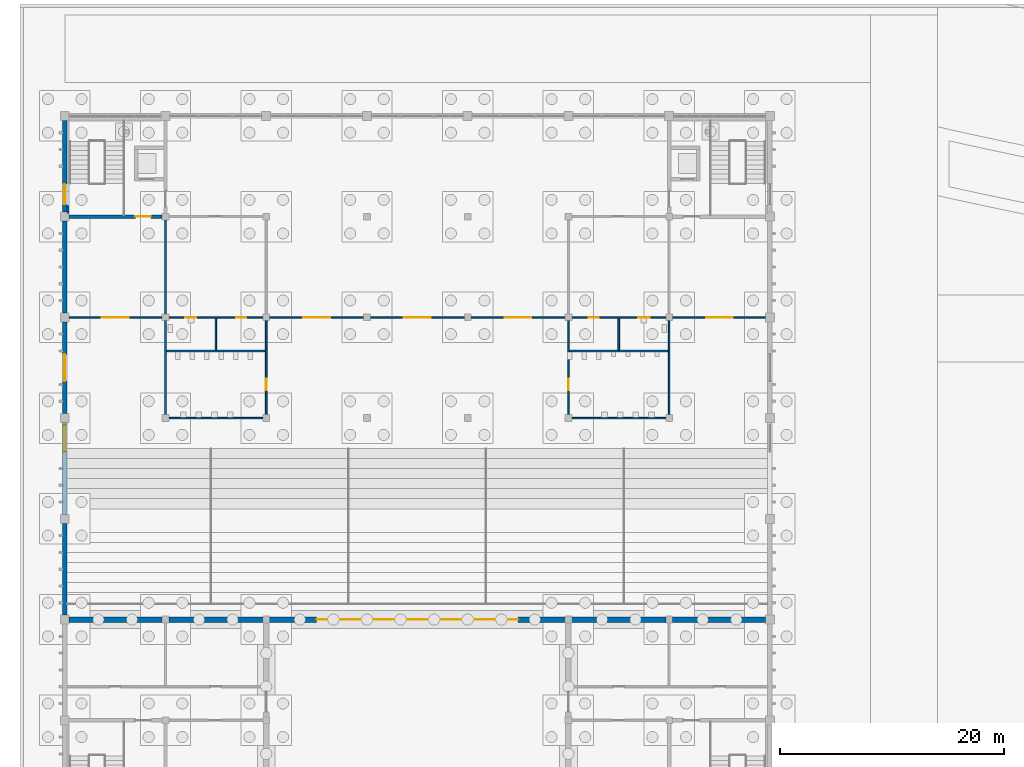
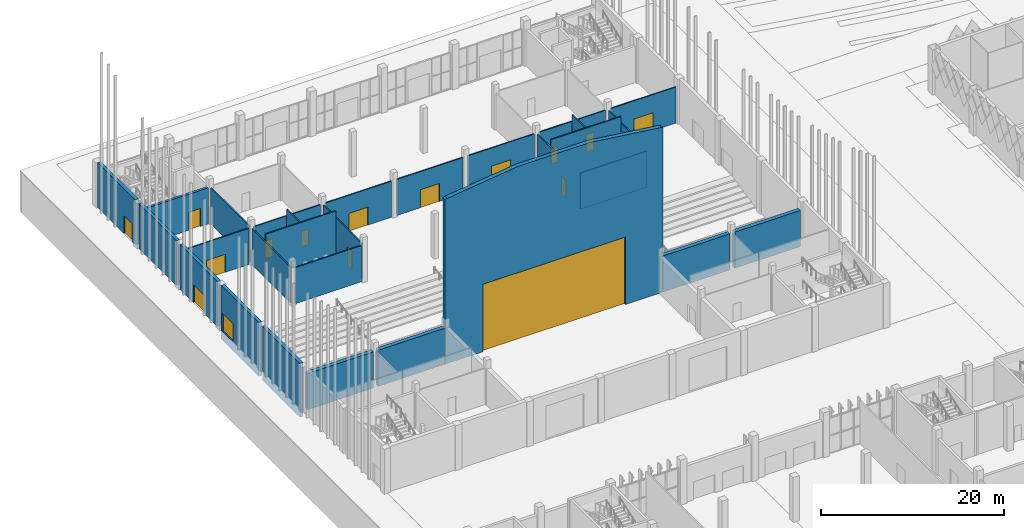
# One storey, part 91 of 198: 30 walls, 16 doors, 16 openings.
"""IFC4 building model written with IfcOpenShell, lengths in metres."""

from ifc_helpers import new_model, si_unit, direction, frame, frame_2d, origin, place, context, subcontext, project, spatial, polyline, rectangle, outline, extrude, material, layer, layer_set, type_object, element, fill, save


model = new_model("IFC4")

# Units and contexts
model_context = context("Model", 3, precision=1e-05, world=origin(), true_north=direction((0.0, 1.0)))
body_context = subcontext(model_context, "Body", "Model", "MODEL_VIEW")
ifc_project = project(units=[si_unit("LENGTHUNIT", "METRE"), si_unit("AREAUNIT", "SQUARE_METRE"), si_unit("VOLUMEUNIT", "CUBIC_METRE"), si_unit("PLANEANGLEUNIT", "RADIAN"), si_unit("MASSUNIT", "GRAM", prefix="KILO")], contexts=[model_context])

# Site, building, storey
site_placement = place(None, origin())
site = spatial("IfcSite", under=ifc_project, at=site_placement, CompositionType="ELEMENT")
building_placement = place(site_placement, origin())
building = spatial("IfcBuilding", under=site, at=building_placement, Name="Opaline Strait Convention Centre", CompositionType="ELEMENT")
storey_placement = place(building_placement, origin())
storey = spatial("IfcBuildingStorey", under=building, at=storey_placement, Name="L00", CompositionType="ELEMENT", Elevation=0.0)

# Wall, opening, door
ifc_material_1 = material(Name="Autoclaved aerated blockwork", Category="masonry")
ifc_layer_1 = layer(ifc_material_1, 0.14990234375)
ifc_layer_set_1 = layer_set([ifc_layer_1], Name="Autoclaved aerated blockwork")
wall_type_1 = type_object("IfcWallType", Name="Blockwork partition 150", PredefinedType="PARTITIONING", material=ifc_layer_set_1)
wall_1_placement = place(storey_placement, frame((9.39990234375, 162.0, 0.0), z_axis=(0.0, 0.0, 1.0), x_axis=(1.0, 0.0, 0.0)))
wall_1 = element("IfcWall", 1, at=wall_1_placement, inside=storey, type_object=wall_type_1, Name="PW11 L00 lobby wall bay 1", PredefinedType="PARTITIONING", context=body_context, shape_type="SweptSolid", body=[
    extrude(rectangle(XDim=8.300048828125, YDim=0.14990234375, at=frame_2d((4.14990234375, 0.0))), origin(), (0.0, 0.0, 1.0), 4.820068359375),
])
opening_1_placement = place(wall_1_placement, frame((2.89990234375, 0.0, 0.0)))
opening_1 = element("IfcOpeningElement", 2, at=opening_1_placement, cuts=wall_1, Name="Opening P0-031", PredefinedType="OPENING", context=body_context, shape_type="SweptSolid", body=[
    extrude(rectangle(XDim=2.39990234375, YDim=2.39990234375, at=frame_2d((1.199951171875, 1.199951171875))), frame((0.0, 0.0849609375, 0.0), z_axis=(0.0, -1.0, 0.0), x_axis=(1.0, 0.0, 0.0)), (0.0, 0.0, 1.0), 0.169921875),
])
ifc_material_2 = material(Name="Steel Q235B", Category="steel")
door_type_1 = type_object("IfcDoorType", Name="Exit double door 2400 x 2400", OperationType="DOUBLE_DOOR_SINGLE_SWING", PredefinedType="DOOR", material=ifc_material_2)
door_1_placement = place(opening_1_placement, origin())
door_1 = element("IfcDoor", 3, at=door_1_placement, inside=storey, type_object=door_type_1, Name="Stalls lobby door", ObjectType="PD2", OperationType="SINGLE_SWING_LEFT", OverallHeight=2.39990234375, OverallWidth=2.39990234375, PredefinedType="DOOR", context=body_context, shape_type="SweptSolid", body=[
    extrude(rectangle(XDim=2.39990234375, YDim=2.39990234375, at=frame_2d((1.199951171875, 1.199951171875))), frame((0.0, 0.02490234375, 0.0), z_axis=(0.0, -1.0, 0.0), x_axis=(1.0, 0.0, 0.0)), (0.0, 0.0, 1.0), 0.050048828125),
])
fill(opening_1, door_1)

# Wall, openings, doors
wall_2_placement = place(storey_placement, frame((18.300048828125, 162.0, 0.0), z_axis=(0.0, 0.0, 1.0), x_axis=(1.0, 0.0, 0.0)))
wall_2 = element("IfcWall", 4, at=wall_2_placement, inside=storey, type_object=wall_type_1, Name="PW11 L00 lobby wall bay 2", PredefinedType="PARTITIONING", context=body_context, shape_type="SweptSolid", body=[
    extrude(rectangle(XDim=8.39990234375, YDim=0.14990234375, at=frame_2d((4.199951171875, 0.0))), origin(), (0.0, 0.0, 1.0), 4.820068359375),
])
opening_2_placement = place(wall_2_placement, frame((1.449951171875, 0.0, 0.0)))
opening_2 = element("IfcOpeningElement", 5, at=opening_2_placement, cuts=wall_2, Name="Opening P0-036", PredefinedType="OPENING", context=body_context, shape_type="SweptSolid", body=[
    extrude(rectangle(XDim=1.0, YDim=2.39990234375, at=frame_2d((0.5, 1.199951171875))), frame((0.0, 0.0849609375, 0.0), z_axis=(0.0, -1.0, 0.0), x_axis=(1.0, 0.0, 0.0)), (0.0, 0.0, 1.0), 0.169921875),
])
opening_3_placement = place(wall_2_placement, frame((6.0, 0.0, 0.0)))
opening_3 = element("IfcOpeningElement", 6, at=opening_3_placement, cuts=wall_2, Name="Opening P0-037", PredefinedType="OPENING", context=body_context, shape_type="SweptSolid", body=[
    extrude(rectangle(XDim=0.89990234375, YDim=2.10009765625, at=frame_2d((0.449951171875, 1.050048828125))), frame((0.0, 0.0849609375, 0.0), z_axis=(0.0, -1.0, 0.0), x_axis=(1.0, 0.0, 0.0)), (0.0, 0.0, 1.0), 0.169921875),
])
ifc_material_3 = material(Name="Timber door leaf", Category="wood")
door_type_2 = type_object("IfcDoorType", Name="Door single 1000 x 2400", OperationType="NOTDEFINED", PredefinedType="DOOR", material=ifc_material_3)
door_2_placement = place(opening_2_placement, origin())
door_2 = element("IfcDoor", 7, at=door_2_placement, inside=storey, type_object=door_type_2, Name="Accessible WC door", ObjectType="PD6", OperationType="SINGLE_SWING_LEFT", OverallHeight=2.39990234375, OverallWidth=1.0, PredefinedType="DOOR", context=body_context, shape_type="SweptSolid", body=[
    extrude(rectangle(XDim=1.0, YDim=2.39990234375, at=frame_2d((0.5, 1.199951171875))), frame((0.0, 0.02490234375, 0.0), z_axis=(0.0, -1.0, 0.0), x_axis=(1.0, 0.0, 0.0)), (0.0, 0.0, 1.0), 0.050048828125),
])
fill(opening_2, door_2)
door_type_3 = type_object("IfcDoorType", Name="Door single 900 x 2100", OperationType="NOTDEFINED", PredefinedType="DOOR", material=ifc_material_3)
door_3_placement = place(opening_3_placement, origin())
door_3 = element("IfcDoor", 8, at=door_3_placement, inside=storey, type_object=door_type_3, Name="Cleaners store door", ObjectType="PD12", OperationType="SINGLE_SWING_RIGHT", OverallHeight=2.10009765625, OverallWidth=0.89990234375, PredefinedType="DOOR", context=body_context, shape_type="SweptSolid", body=[
    extrude(rectangle(XDim=0.89990234375, YDim=2.10009765625, at=frame_2d((0.449951171875, 1.050048828125))), frame((0.0, 0.02490234375, 0.0), z_axis=(0.0, -1.0, 0.0), x_axis=(1.0, 0.0, 0.0)), (0.0, 0.0, 1.0), 0.050048828125),
])
fill(opening_3, door_3)

# Wall, opening, door
wall_3_placement = place(storey_placement, frame((27.300048828125, 162.0, 0.0), z_axis=(0.0, 0.0, 1.0), x_axis=(1.0, 0.0, 0.0)))
wall_3 = element("IfcWall", 9, at=wall_3_placement, inside=storey, type_object=wall_type_1, Name="PW11 L00 lobby wall bay 3", PredefinedType="PARTITIONING", context=body_context, shape_type="SweptSolid", body=[
    extrude(rectangle(XDim=8.39990234375, YDim=0.14990234375, at=frame_2d((4.199951171875, 0.0))), origin(), (0.0, 0.0, 1.0), 4.820068359375),
])
opening_4_placement = place(wall_3_placement, frame((3.0, 0.0, 0.0)))
opening_4 = element("IfcOpeningElement", 10, at=opening_4_placement, cuts=wall_3, Name="Opening P0-032", PredefinedType="OPENING", context=body_context, shape_type="SweptSolid", body=[
    extrude(rectangle(XDim=2.39990234375, YDim=2.39990234375, at=frame_2d((1.199951171875, 1.199951171875))), frame((0.0, 0.0849609375, 0.0), z_axis=(0.0, -1.0, 0.0), x_axis=(1.0, 0.0, 0.0)), (0.0, 0.0, 1.0), 0.169921875),
])
door_4_placement = place(opening_4_placement, origin())
door_4 = element("IfcDoor", 11, at=door_4_placement, inside=storey, type_object=door_type_1, Name="Stalls lobby door", ObjectType="PD2", OperationType="SINGLE_SWING_LEFT", OverallHeight=2.39990234375, OverallWidth=2.39990234375, PredefinedType="DOOR", context=body_context, shape_type="SweptSolid", body=[
    extrude(rectangle(XDim=2.39990234375, YDim=2.39990234375, at=frame_2d((1.199951171875, 1.199951171875))), frame((0.0, 0.02490234375, 0.0), z_axis=(0.0, -1.0, 0.0), x_axis=(1.0, 0.0, 0.0)), (0.0, 0.0, 1.0), 0.050048828125),
])
fill(opening_4, door_4)

wall_4_placement = place(storey_placement, frame((36.300048828125, 162.0, 0.0), z_axis=(0.0, 0.0, 1.0), x_axis=(1.0, 0.0, 0.0)))
wall_4 = element("IfcWall", 12, at=wall_4_placement, inside=storey, type_object=wall_type_1, Name="PW11 L00 lobby wall bay 4", PredefinedType="PARTITIONING", context=body_context, shape_type="SweptSolid", body=[
    extrude(rectangle(XDim=8.39990234375, YDim=0.14990234375, at=frame_2d((4.199951171875, 0.0))), origin(), (0.0, 0.0, 1.0), 4.820068359375),
])
opening_5_placement = place(wall_4_placement, frame((3.0, 0.0, 0.0)))
opening_5 = element("IfcOpeningElement", 13, at=opening_5_placement, cuts=wall_4, Name="Opening P0-033", PredefinedType="OPENING", context=body_context, shape_type="SweptSolid", body=[
    extrude(rectangle(XDim=2.39990234375, YDim=2.39990234375, at=frame_2d((1.199951171875, 1.199951171875))), frame((0.0, 0.0849609375, 0.0), z_axis=(0.0, -1.0, 0.0), x_axis=(1.0, 0.0, 0.0)), (0.0, 0.0, 1.0), 0.169921875),
])
door_5_placement = place(opening_5_placement, origin())
door_5 = element("IfcDoor", 14, at=door_5_placement, inside=storey, type_object=door_type_1, Name="Stalls lobby door", ObjectType="PD2", OperationType="SINGLE_SWING_LEFT", OverallHeight=2.39990234375, OverallWidth=2.39990234375, PredefinedType="DOOR", context=body_context, shape_type="SweptSolid", body=[
    extrude(rectangle(XDim=2.39990234375, YDim=2.39990234375, at=frame_2d((1.199951171875, 1.199951171875))), frame((0.0, 0.02490234375, 0.0), z_axis=(0.0, -1.0, 0.0), x_axis=(1.0, 0.0, 0.0)), (0.0, 0.0, 1.0), 0.050048828125),
])
fill(opening_5, door_5)

wall_5_placement = place(storey_placement, frame((45.300048828125, 162.0, 0.0), z_axis=(0.0, 0.0, 1.0), x_axis=(1.0, 0.0, 0.0)))
wall_5 = element("IfcWall", 15, at=wall_5_placement, inside=storey, type_object=wall_type_1, Name="PW11 L00 lobby wall bay 5", PredefinedType="PARTITIONING", context=body_context, shape_type="SweptSolid", body=[
    extrude(rectangle(XDim=8.39990234375, YDim=0.14990234375, at=frame_2d((4.199951171875, 0.0))), origin(), (0.0, 0.0, 1.0), 4.820068359375),
])
opening_6_placement = place(wall_5_placement, frame((3.0, 0.0, 0.0)))
opening_6 = element("IfcOpeningElement", 16, at=opening_6_placement, cuts=wall_5, Name="Opening P0-034", PredefinedType="OPENING", context=body_context, shape_type="SweptSolid", body=[
    extrude(rectangle(XDim=2.39990234375, YDim=2.39990234375, at=frame_2d((1.199951171875, 1.199951171875))), frame((0.0, 0.0849609375, 0.0), z_axis=(0.0, -1.0, 0.0), x_axis=(1.0, 0.0, 0.0)), (0.0, 0.0, 1.0), 0.169921875),
])
door_6_placement = place(opening_6_placement, origin())
door_6 = element("IfcDoor", 17, at=door_6_placement, inside=storey, type_object=door_type_1, Name="Stalls lobby door", ObjectType="PD2", OperationType="SINGLE_SWING_LEFT", OverallHeight=2.39990234375, OverallWidth=2.39990234375, PredefinedType="DOOR", context=body_context, shape_type="SweptSolid", body=[
    extrude(rectangle(XDim=2.39990234375, YDim=2.39990234375, at=frame_2d((1.199951171875, 1.199951171875))), frame((0.0, 0.02490234375, 0.0), z_axis=(0.0, -1.0, 0.0), x_axis=(1.0, 0.0, 0.0)), (0.0, 0.0, 1.0), 0.050048828125),
])
fill(opening_6, door_6)

# Wall, openings, doors
wall_6_placement = place(storey_placement, frame((54.300048828125, 162.0, 0.0), z_axis=(0.0, 0.0, 1.0), x_axis=(1.0, 0.0, 0.0)))
wall_6 = element("IfcWall", 18, at=wall_6_placement, inside=storey, type_object=wall_type_1, Name="PW11 L00 lobby wall bay 6", PredefinedType="PARTITIONING", context=body_context, shape_type="SweptSolid", body=[
    extrude(rectangle(XDim=8.39990234375, YDim=0.14990234375, at=frame_2d((4.199951171875, 0.0))), origin(), (0.0, 0.0, 1.0), 4.820068359375),
])
opening_7_placement = place(wall_6_placement, frame((5.949951171875, 0.0, 0.0)))
opening_7 = element("IfcOpeningElement", 19, at=opening_7_placement, cuts=wall_6, Name="Opening P0-038", PredefinedType="OPENING", context=body_context, shape_type="SweptSolid", body=[
    extrude(rectangle(XDim=1.0, YDim=2.39990234375, at=frame_2d((0.5, 1.199951171875))), frame((0.0, 0.0849609375, 0.0), z_axis=(0.0, -1.0, 0.0), x_axis=(1.0, 0.0, 0.0)), (0.0, 0.0, 1.0), 0.169921875),
])
opening_8_placement = place(wall_6_placement, frame((1.5, 0.0, 0.0)))
opening_8 = element("IfcOpeningElement", 20, at=opening_8_placement, cuts=wall_6, Name="Opening P0-039", PredefinedType="OPENING", context=body_context, shape_type="SweptSolid", body=[
    extrude(rectangle(XDim=0.89990234375, YDim=2.10009765625, at=frame_2d((0.449951171875, 1.050048828125))), frame((0.0, 0.0849609375, 0.0), z_axis=(0.0, -1.0, 0.0), x_axis=(1.0, 0.0, 0.0)), (0.0, 0.0, 1.0), 0.169921875),
])
door_7_placement = place(opening_7_placement, origin())
door_7 = element("IfcDoor", 21, at=door_7_placement, inside=storey, type_object=door_type_2, Name="Accessible WC door", ObjectType="PD6", OperationType="SINGLE_SWING_RIGHT", OverallHeight=2.39990234375, OverallWidth=1.0, PredefinedType="DOOR", context=body_context, shape_type="SweptSolid", body=[
    extrude(rectangle(XDim=1.0, YDim=2.39990234375, at=frame_2d((0.5, 1.199951171875))), frame((0.0, 0.02490234375, 0.0), z_axis=(0.0, -1.0, 0.0), x_axis=(1.0, 0.0, 0.0)), (0.0, 0.0, 1.0), 0.050048828125),
])
fill(opening_7, door_7)
door_8_placement = place(opening_8_placement, origin())
door_8 = element("IfcDoor", 22, at=door_8_placement, inside=storey, type_object=door_type_3, Name="Cleaners store door", ObjectType="PD12", OperationType="SINGLE_SWING_LEFT", OverallHeight=2.10009765625, OverallWidth=0.89990234375, PredefinedType="DOOR", context=body_context, shape_type="SweptSolid", body=[
    extrude(rectangle(XDim=0.89990234375, YDim=2.10009765625, at=frame_2d((0.449951171875, 1.050048828125))), frame((0.0, 0.02490234375, 0.0), z_axis=(0.0, -1.0, 0.0), x_axis=(1.0, 0.0, 0.0)), (0.0, 0.0, 1.0), 0.050048828125),
])
fill(opening_8, door_8)

# Wall, opening, door
wall_7_placement = place(storey_placement, frame((63.300048828125, 162.0, 0.0), z_axis=(0.0, 0.0, 1.0), x_axis=(1.0, 0.0, 0.0)))
wall_7 = element("IfcWall", 23, at=wall_7_placement, inside=storey, type_object=wall_type_1, Name="PW11 L00 lobby wall bay 7", PredefinedType="PARTITIONING", context=body_context, shape_type="SweptSolid", body=[
    extrude(rectangle(XDim=8.300048828125, YDim=0.14990234375, at=frame_2d((4.14990234375, 0.0))), origin(), (0.0, 0.0, 1.0), 4.820068359375),
])
opening_9_placement = place(wall_7_placement, frame((3.0, 0.0, 0.0)))
opening_9 = element("IfcOpeningElement", 24, at=opening_9_placement, cuts=wall_7, Name="Opening P0-035", PredefinedType="OPENING", context=body_context, shape_type="SweptSolid", body=[
    extrude(rectangle(XDim=2.39990234375, YDim=2.39990234375, at=frame_2d((1.199951171875, 1.199951171875))), frame((0.0, 0.0849609375, 0.0), z_axis=(0.0, -1.0, 0.0), x_axis=(1.0, 0.0, 0.0)), (0.0, 0.0, 1.0), 0.169921875),
])
door_9_placement = place(opening_9_placement, origin())
door_9 = element("IfcDoor", 25, at=door_9_placement, inside=storey, type_object=door_type_1, Name="Stalls lobby door", ObjectType="PD2", OperationType="SINGLE_SWING_LEFT", OverallHeight=2.39990234375, OverallWidth=2.39990234375, PredefinedType="DOOR", context=body_context, shape_type="SweptSolid", body=[
    extrude(rectangle(XDim=2.39990234375, YDim=2.39990234375, at=frame_2d((1.199951171875, 1.199951171875))), frame((0.0, 0.02490234375, 0.0), z_axis=(0.0, -1.0, 0.0), x_axis=(1.0, 0.0, 0.0)), (0.0, 0.0, 1.0), 0.050048828125),
])
fill(opening_9, door_9)

# Wall
wall_8_placement = place(storey_placement, frame((18.0, 153.300048828125, 0.0), z_axis=(0.0, 0.0, 1.0), x_axis=(0.0, 1.0, 0.0)))
element("IfcWall", 26, at=wall_8_placement, inside=storey, type_object=wall_type_1, Name="PW11 L00 partition WX18T", PredefinedType="PARTITIONING", context=body_context, shape_type="SweptSolid", body=[
    extrude(rectangle(XDim=8.39990234375, YDim=0.14990234375, at=frame_2d((4.199951171875, 0.0))), origin(), (0.0, 0.0, 1.0), 4.820068359375),
])

# Wall, opening, door
wall_9_placement = place(storey_placement, frame((27.0, 153.300048828125, 0.0), z_axis=(0.0, 0.0, 1.0), x_axis=(0.0, 1.0, 0.0)))
wall_9 = element("IfcWall", 27, at=wall_9_placement, inside=storey, type_object=wall_type_1, Name="PW11 L00 partition WX27T", PredefinedType="PARTITIONING", context=body_context, shape_type="SweptSolid", body=[
    extrude(rectangle(XDim=8.39990234375, YDim=0.14990234375, at=frame_2d((4.199951171875, 0.0))), origin(), (0.0, 0.0, 1.0), 4.820068359375),
])
opening_10_placement = place(wall_9_placement, frame((2.199951171875, 0.0, 0.0)))
opening_10 = element("IfcOpeningElement", 28, at=opening_10_placement, cuts=wall_9, Name="Opening P0-040", PredefinedType="OPENING", context=body_context, shape_type="SweptSolid", body=[
    extrude(rectangle(XDim=1.0, YDim=2.39990234375, at=frame_2d((0.5, 1.199951171875))), frame((0.0, 0.0849609375, 0.0), z_axis=(0.0, -1.0, 0.0), x_axis=(1.0, 0.0, 0.0)), (0.0, 0.0, 1.0), 0.169921875),
])
door_10_placement = place(opening_10_placement, origin())
door_10 = element("IfcDoor", 29, at=door_10_placement, inside=storey, type_object=door_type_2, Name="Women's WC door", ObjectType="PD6", OperationType="SINGLE_SWING_LEFT", OverallHeight=2.39990234375, OverallWidth=1.0, PredefinedType="DOOR", context=body_context, shape_type="SweptSolid", body=[
    extrude(rectangle(XDim=1.0, YDim=2.39990234375, at=frame_2d((0.5, 1.199951171875))), frame((0.0, 0.02490234375, 0.0), z_axis=(0.0, -1.0, 0.0), x_axis=(1.0, 0.0, 0.0)), (0.0, 0.0, 1.0), 0.050048828125),
])
fill(opening_10, door_10)

# Walls
wall_10_placement = place(storey_placement, frame((18.300048828125, 153.0, 0.0), z_axis=(0.0, 0.0, 1.0), x_axis=(1.0, 0.0, 0.0)))
element("IfcWall", 30, at=wall_10_placement, inside=storey, type_object=wall_type_1, Name="PW11 L00 partition WY153T", PredefinedType="PARTITIONING", context=body_context, shape_type="SweptSolid", body=[
    extrude(rectangle(XDim=8.39990234375, YDim=0.14990234375, at=frame_2d((4.199951171875, 0.0))), origin(), (0.0, 0.0, 1.0), 4.820068359375),
])
wall_11_placement = place(storey_placement, frame((18.074951171875, 159.0, 0.0), z_axis=(0.0, 0.0, 1.0), x_axis=(1.0, 0.0, 0.0)))
element("IfcWall", 31, at=wall_11_placement, inside=storey, type_object=wall_type_1, Name="PW11 L00 partition WY159T", PredefinedType="PARTITIONING", context=body_context, shape_type="SweptSolid", body=[
    extrude(rectangle(XDim=8.85009765625, YDim=0.14990234375, at=frame_2d((4.425048828125, 0.0))), origin(), (0.0, 0.0, 1.0), 5.719970703125),
])
wall_12_placement = place(storey_placement, frame((22.5, 159.074951171875, 0.0), z_axis=(0.0, 0.0, 1.0), x_axis=(0.0, 1.0, 0.0)))
element("IfcWall", 32, at=wall_12_placement, inside=storey, type_object=wall_type_1, Name="PW11 L00 partition WX225T", PredefinedType="PARTITIONING", context=body_context, shape_type="SweptSolid", body=[
    extrude(rectangle(XDim=2.85009765625, YDim=0.14990234375, at=frame_2d((1.425048828125, 0.0))), origin(), (0.0, 0.0, 1.0), 5.719970703125),
])
for number, where, z_axis, x_axis, name in (
    (33, (18.0, 162.300048828125, 0.0), (0.0, 0.0, 1.0), (0.0, 1.0, 0.0), "PW11 L00 partition WX18C"),
    (34, (63.0, 153.300048828125, 0.0), (0.0, 0.0, 1.0), (0.0, 1.0, 0.0), "PW11 L00 partition EX18T"),
):
    element("IfcWall", number, at=place(storey_placement, frame(where, z_axis=z_axis, x_axis=x_axis)), inside=storey, type_object=wall_type_1, Name=name, PredefinedType="PARTITIONING", context=body_context, shape_type="SweptSolid", body=[
        extrude(rectangle(XDim=8.39990234375, YDim=0.14990234375, at=frame_2d((4.199951171875, 0.0))), origin(), (0.0, 0.0, 1.0), 4.820068359375),
    ])

# Wall, opening, door
wall_13_placement = place(storey_placement, frame((54.0, 153.300048828125, 0.0), z_axis=(0.0, 0.0, 1.0), x_axis=(0.0, 1.0, 0.0)))
wall_13 = element("IfcWall", 35, at=wall_13_placement, inside=storey, type_object=wall_type_1, Name="PW11 L00 partition EX27T", PredefinedType="PARTITIONING", context=body_context, shape_type="SweptSolid", body=[
    extrude(rectangle(XDim=8.39990234375, YDim=0.14990234375, at=frame_2d((4.199951171875, 0.0))), origin(), (0.0, 0.0, 1.0), 4.820068359375),
])
opening_11_placement = place(wall_13_placement, frame((2.199951171875, 0.0, 0.0)))
opening_11 = element("IfcOpeningElement", 36, at=opening_11_placement, cuts=wall_13, Name="Opening P0-042", PredefinedType="OPENING", context=body_context, shape_type="SweptSolid", body=[
    extrude(rectangle(XDim=1.0, YDim=2.39990234375, at=frame_2d((0.5, 1.199951171875))), frame((0.0, 0.0849609375, 0.0), z_axis=(0.0, -1.0, 0.0), x_axis=(1.0, 0.0, 0.0)), (0.0, 0.0, 1.0), 0.169921875),
])
door_11_placement = place(opening_11_placement, origin())
door_11 = element("IfcDoor", 37, at=door_11_placement, inside=storey, type_object=door_type_2, Name="Men's WC door", ObjectType="PD6", OperationType="SINGLE_SWING_LEFT", OverallHeight=2.39990234375, OverallWidth=1.0, PredefinedType="DOOR", context=body_context, shape_type="SweptSolid", body=[
    extrude(rectangle(XDim=1.0, YDim=2.39990234375, at=frame_2d((0.5, 1.199951171875))), frame((0.0, 0.02490234375, 0.0), z_axis=(0.0, -1.0, 0.0), x_axis=(1.0, 0.0, 0.0)), (0.0, 0.0, 1.0), 0.050048828125),
])
fill(opening_11, door_11)

# Walls
wall_14_placement = place(storey_placement, frame((62.699951171875, 153.0, 0.0), z_axis=(0.0, 0.0, 1.0), x_axis=(-1.0, 0.0, 0.0)))
element("IfcWall", 38, at=wall_14_placement, inside=storey, type_object=wall_type_1, Name="PW11 L00 partition EY153T", PredefinedType="PARTITIONING", context=body_context, shape_type="SweptSolid", body=[
    extrude(rectangle(XDim=8.39990234375, YDim=0.14990234375, at=frame_2d((4.199951171875, 0.0))), origin(), (0.0, 0.0, 1.0), 4.820068359375),
])
wall_15_placement = place(storey_placement, frame((62.925048828125, 159.0, 0.0), z_axis=(0.0, 0.0, 1.0), x_axis=(-1.0, 0.0, 0.0)))
element("IfcWall", 39, at=wall_15_placement, inside=storey, type_object=wall_type_1, Name="PW11 L00 partition EY159T", PredefinedType="PARTITIONING", context=body_context, shape_type="SweptSolid", body=[
    extrude(rectangle(XDim=8.85009765625, YDim=0.14990234375, at=frame_2d((4.425048828125, 0.0))), origin(), (0.0, 0.0, 1.0), 5.719970703125),
])
wall_16_placement = place(storey_placement, frame((58.5, 159.074951171875, 0.0), z_axis=(0.0, 0.0, 1.0), x_axis=(0.0, 1.0, 0.0)))
element("IfcWall", 40, at=wall_16_placement, inside=storey, type_object=wall_type_1, Name="PW11 L00 partition EX225T", PredefinedType="PARTITIONING", context=body_context, shape_type="SweptSolid", body=[
    extrude(rectangle(XDim=2.85009765625, YDim=0.14990234375, at=frame_2d((1.425048828125, 0.0))), origin(), (0.0, 0.0, 1.0), 5.719970703125),
])
ifc_material_4 = material(Name="Concrete C40", Category="concrete")
ifc_layer_2 = layer(ifc_material_4, 0.320068359375)
ifc_material_5 = material(Name="Mineral wool insulation")
ifc_layer_3 = layer(ifc_material_5, 0.050048828125)
ifc_material_6 = material(Name="Gypsum board lining")
ifc_layer_4 = layer(ifc_material_6, 0.030029296875)
ifc_layer_set_2 = layer_set([ifc_layer_2, ifc_layer_3, ifc_layer_4], Name="Concrete C40, Mineral wool insulation, Gypsum board lining")
wall_type_2 = type_object("IfcWallType", Name="RC external wall 400 C40", PredefinedType="SOLIDWALL", material=ifc_layer_set_2)
wall_17_placement = place(storey_placement, frame((9.0, 135.39990234375, -1.199951171875), z_axis=(0.0, 0.0, 1.0), x_axis=(0.0, 1.0, 0.0)))
element("IfcWall", 41, at=wall_17_placement, inside=storey, type_object=wall_type_2, Name="PW1 west wall L00 2/R-2/S", PredefinedType="SOLIDWALL", context=body_context, shape_type="SweptSolid", body=[
    extrude(rectangle(XDim=8.2001953125, YDim=0.39990234375, at=frame_2d((4.10009765625, 0.0))), origin(), (0.0, 0.0, 1.0), 7.199951171875),
])

# Wall, opening, door
wall_18_placement = place(storey_placement, frame((9.0, 144.39990234375, -1.199951171875), z_axis=(0.0, 0.0, 1.0), x_axis=(0.0, 1.0, 0.0)))
wall_18 = element("IfcWall", 42, at=wall_18_placement, inside=storey, type_object=wall_type_2, Name="PW1 west wall L00 2/S-2/T", PredefinedType="SOLIDWALL", context=body_context, shape_type="SweptSolid", body=[
    extrude(rectangle(XDim=8.2001953125, YDim=0.39990234375, at=frame_2d((4.10009765625, 0.0))), origin(), (0.0, 0.0, 1.0), 7.199951171875),
])
opening_12_placement = place(wall_18_placement, frame((5.60009765625, 0.0, 1.199951171875)))
opening_12 = element("IfcOpeningElement", 43, at=opening_12_placement, cuts=wall_18, Name="Opening P0-004", PredefinedType="OPENING", context=body_context, shape_type="SweptSolid", body=[
    extrude(rectangle(XDim=2.39990234375, YDim=2.39990234375, at=frame_2d((1.199951171875, 1.199951171875))), frame((0.0, 0.2099609375, 0.0), z_axis=(0.0, -1.0, 0.0), x_axis=(1.0, 0.0, 0.0)), (0.0, 0.0, 1.0), 0.419921875),
])
door_12_placement = place(opening_12_placement, origin())
door_12 = element("IfcDoor", 44, at=door_12_placement, inside=storey, type_object=door_type_1, Name="Stalls exit west", ObjectType="PD2", OperationType="DOUBLE_DOOR_SINGLE_SWING", OverallHeight=2.39990234375, OverallWidth=2.39990234375, PredefinedType="DOOR", context=body_context, shape_type="SweptSolid", body=[
    extrude(rectangle(XDim=2.39990234375, YDim=2.39990234375, at=frame_2d((1.199951171875, 1.199951171875))), frame((0.0, 0.02490234375, 0.0), z_axis=(0.0, -1.0, 0.0), x_axis=(1.0, 0.0, 0.0)), (0.0, 0.0, 1.0), 0.050048828125),
])
fill(opening_12, door_12)

wall_19_placement = place(storey_placement, frame((9.0, 153.39990234375, 0.0), z_axis=(0.0, 0.0, 1.0), x_axis=(0.0, 1.0, 0.0)))
wall_19 = element("IfcWall", 45, at=wall_19_placement, inside=storey, type_object=wall_type_2, Name="PW1 west wall L00 2/T-2/U", PredefinedType="SOLIDWALL", context=body_context, shape_type="SweptSolid", body=[
    extrude(rectangle(XDim=8.2001953125, YDim=0.39990234375, at=frame_2d((4.10009765625, 0.0))), origin(), (0.0, 0.0, 1.0), 6.0),
])
opening_13_placement = place(wall_19_placement, frame((2.89990234375, 0.0, 0.0)))
opening_13 = element("IfcOpeningElement", 46, at=opening_13_placement, cuts=wall_19, Name="Opening P0-005", PredefinedType="OPENING", context=body_context, shape_type="SweptSolid", body=[
    extrude(rectangle(XDim=2.39990234375, YDim=2.39990234375, at=frame_2d((1.199951171875, 1.199951171875))), frame((0.0, 0.2099609375, 0.0), z_axis=(0.0, -1.0, 0.0), x_axis=(1.0, 0.0, 0.0)), (0.0, 0.0, 1.0), 0.419921875),
])
door_13_placement = place(opening_13_placement, origin())
door_13 = element("IfcDoor", 47, at=door_13_placement, inside=storey, type_object=door_type_1, Name="Stalls lobby exit west", ObjectType="PD2", OperationType="DOUBLE_DOOR_SINGLE_SWING", OverallHeight=2.39990234375, OverallWidth=2.39990234375, PredefinedType="DOOR", context=body_context, shape_type="SweptSolid", body=[
    extrude(rectangle(XDim=2.39990234375, YDim=2.39990234375, at=frame_2d((1.199951171875, 1.199951171875))), frame((0.0, 0.02490234375, 0.0), z_axis=(0.0, -1.0, 0.0), x_axis=(1.0, 0.0, 0.0)), (0.0, 0.0, 1.0), 0.050048828125),
])
fill(opening_13, door_13)

# Wall
wall_20_placement = place(storey_placement, frame((9.0, 162.39990234375, 0.0), z_axis=(0.0, 0.0, 1.0), x_axis=(0.0, 1.0, 0.0)))
element("IfcWall", 48, at=wall_20_placement, inside=storey, type_object=wall_type_2, Name="PW1 west wall L00 2/U-2/V", PredefinedType="SOLIDWALL", context=body_context, shape_type="SweptSolid", body=[
    extrude(rectangle(XDim=8.2001953125, YDim=0.39990234375, at=frame_2d((4.10009765625, 0.0))), origin(), (0.0, 0.0, 1.0), 6.0),
])

# Wall, opening, door
wall_21_placement = place(storey_placement, frame((9.0, 171.39990234375, 0.0), z_axis=(0.0, 0.0, 1.0), x_axis=(0.0, 1.0, 0.0)))
wall_21 = element("IfcWall", 49, at=wall_21_placement, inside=storey, type_object=wall_type_2, Name="PW1 west wall L00 2/V-2/W", PredefinedType="SOLIDWALL", context=body_context, shape_type="SweptSolid", body=[
    extrude(rectangle(XDim=8.2001953125, YDim=0.39990234375, at=frame_2d((4.10009765625, 0.0))), origin(), (0.0, 0.0, 1.0), 6.0),
])
opening_14_placement = place(wall_21_placement, frame((0.699951171875, 0.0, 0.0)))
opening_14 = element("IfcOpeningElement", 50, at=opening_14_placement, cuts=wall_21, Name="Opening P0-007", PredefinedType="OPENING", context=body_context, shape_type="SweptSolid", body=[
    extrude(rectangle(XDim=1.800048828125, YDim=2.39990234375, at=frame_2d((0.89990234375, 1.199951171875))), frame((0.0, 0.2099609375, 0.0), z_axis=(0.0, -1.0, 0.0), x_axis=(1.0, 0.0, 0.0)), (0.0, 0.0, 1.0), 0.419921875),
])
door_type_4 = type_object("IfcDoorType", Name="Exit double door 1800 x 2400", OperationType="DOUBLE_DOOR_SINGLE_SWING", PredefinedType="DOOR", material=ifc_material_2)
door_14_placement = place(opening_14_placement, origin())
door_14 = element("IfcDoor", 51, at=door_14_placement, inside=storey, type_object=door_type_4, Name="Foyer stair exit west", ObjectType="PD3", OperationType="DOUBLE_DOOR_SINGLE_SWING", OverallHeight=2.39990234375, OverallWidth=1.800048828125, PredefinedType="DOOR", context=body_context, shape_type="SweptSolid", body=[
    extrude(rectangle(XDim=1.800048828125, YDim=2.39990234375, at=frame_2d((0.89990234375, 1.199951171875))), frame((0.0, 0.02490234375, 0.0), z_axis=(0.0, -1.0, 0.0), x_axis=(1.0, 0.0, 0.0)), (0.0, 0.0, 1.0), 0.050048828125),
])
fill(opening_14, door_14)

# Walls
ifc_layer_5 = layer(ifc_material_4, 0.419921875)
ifc_layer_6 = layer(ifc_material_5, 0.050048828125)
ifc_layer_7 = layer(ifc_material_6, 0.030029296875)
ifc_layer_set_3 = layer_set([ifc_layer_5, ifc_layer_6, ifc_layer_7], Name="Concrete C40, Mineral wool insulation, Gypsum board lining")
wall_type_3 = type_object("IfcWallType", Name="RC stage wall 500 C40", PredefinedType="SOLIDWALL", material=ifc_layer_set_3)
wall_22_placement = place(storey_placement, frame((9.39990234375, 135.0, 0.0), z_axis=(0.0, 0.0, 1.0), x_axis=(1.0, 0.0, 0.0)))
element("IfcWall", 52, at=wall_22_placement, inside=storey, type_object=wall_type_3, Name="PW2 proscenium wall L00 wing", PredefinedType="SOLIDWALL", context=body_context, shape_type="SweptSolid", body=[
    extrude(rectangle(XDim=8.300048828125, YDim=0.5, at=frame_2d((4.14990234375, 0.0))), origin(), (0.0, 0.0, 1.0), 4.820068359375),
])
for number, where, z_axis, x_axis, name in (
    (53, (18.300048828125, 135.0, 0.0), (0.0, 0.0, 1.0), (1.0, 0.0, 0.0), "PW2 proscenium wall L00 wing"),
    (54, (54.25, 135.0, 0.0), (0.0, 0.0, 1.0), (1.0, 0.0, 0.0), "PW2 proscenium wall L00 wing"),
):
    element("IfcWall", number, at=place(storey_placement, frame(where, z_axis=z_axis, x_axis=x_axis)), inside=storey, type_object=wall_type_3, Name=name, PredefinedType="SOLIDWALL", context=body_context, shape_type="SweptSolid", body=[
        extrude(rectangle(XDim=8.449951171875, YDim=0.5, at=frame_2d((4.22509765625, 0.0))), origin(), (0.0, 0.0, 1.0), 4.820068359375),
    ])
wall_23_placement = place(storey_placement, frame((63.300048828125, 135.0, 0.0), z_axis=(0.0, 0.0, 1.0), x_axis=(1.0, 0.0, 0.0)))
element("IfcWall", 55, at=wall_23_placement, inside=storey, type_object=wall_type_3, Name="PW2 proscenium wall L00 wing", PredefinedType="SOLIDWALL", context=body_context, shape_type="SweptSolid", body=[
    extrude(rectangle(XDim=8.300048828125, YDim=0.5, at=frame_2d((4.14990234375, 0.0))), origin(), (0.0, 0.0, 1.0), 4.820068359375),
])

# Wall, opening, door
wall_24_placement = place(storey_placement, frame((26.75, 135.0, 0.0), z_axis=(0.0, 0.0, 1.0), x_axis=(1.0, 0.0, 0.0)))
wall_24 = element("IfcWall", 56, at=wall_24_placement, inside=storey, type_object=wall_type_3, Name="PW2 proscenium wall over the stage", PredefinedType="SOLIDWALL", context=body_context, shape_type="SweptSolid", body=[
    extrude(outline(polyline([(0.0, 0.0), (27.5, 0.0), (27.5, 21.900390625), (27.25, 22.0400390625), (18.25, 23.182861328125), (9.25, 23.182861328125), (0.25, 22.0400390625), (0.0, 21.900390625), (0.0, 0.0)])), frame((0.0, 0.25, 0.0), z_axis=(0.0, -1.0, 0.0), x_axis=(1.0, 0.0, 0.0)), (0.0, 0.0, 1.0), 0.5),
])
opening_15_placement = place(wall_24_placement, frame((4.75, 0.0, 0.0)))
opening_15 = element("IfcOpeningElement", 57, at=opening_15_placement, cuts=wall_24, Name="Opening P0-003", PredefinedType="OPENING", context=body_context, shape_type="SweptSolid", body=[
    extrude(rectangle(XDim=18.0, YDim=9.0, at=frame_2d((9.0, 4.5))), frame((0.0, 0.260009765625, 0.0), z_axis=(0.0, -1.0, 0.0), x_axis=(1.0, 0.0, 0.0)), (0.0, 0.0, 1.0), 0.52001953125),
])
ifc_material_7 = material(Name="Steel Q235B fire curtain", Category="steel")
door_type_5 = type_object("IfcDoorType", Name="Fire curtain 18000 x 9000", OperationType="ROLLINGUP", PredefinedType="DOOR", material=ifc_material_7)
door_15_placement = place(opening_15_placement, origin())
door_15 = element("IfcDoor", 58, at=door_15_placement, inside=storey, type_object=door_type_5, Name="Fire curtain at the proscenium", ObjectType="PD5", OperationType="ROLLINGUP", OverallHeight=9.0, OverallWidth=18.0, PredefinedType="DOOR", context=body_context, shape_type="SweptSolid", body=[
    extrude(rectangle(XDim=18.0, YDim=9.0, at=frame_2d((9.0, 4.5))), frame((0.0, 0.02490234375, 0.0), z_axis=(0.0, -1.0, 0.0), x_axis=(1.0, 0.0, 0.0)), (0.0, 0.0, 1.0), 0.050048828125),
])
fill(opening_15, door_15)

ifc_layer_8 = layer(ifc_material_4, 0.300048828125)
ifc_layer_set_4 = layer_set([ifc_layer_8], Name="Concrete C40")
wall_type_4 = type_object("IfcWallType", Name="RC stair core wall 300 C40", PredefinedType="SOLIDWALL", material=ifc_layer_set_4)
wall_25_placement = place(storey_placement, frame((9.39990234375, 171.0, 0.0), z_axis=(0.0, 0.0, 1.0), x_axis=(1.0, 0.0, 0.0)))
wall_25 = element("IfcWall", 59, at=wall_25_placement, inside=storey, type_object=wall_type_4, Name="PW13 L00 NW core cross wall", PredefinedType="SOLIDWALL", context=body_context, shape_type="SweptSolid", body=[
    extrude(rectangle(XDim=8.300048828125, YDim=0.300048828125, at=frame_2d((4.14990234375, 0.0))), origin(), (0.0, 0.0, 1.0), 4.820068359375),
])
opening_16_placement = place(wall_25_placement, frame((5.89990234375, 0.0, 0.0)))
opening_16 = element("IfcOpeningElement", 60, at=opening_16_placement, cuts=wall_25, Name="Opening P0-019", PredefinedType="OPENING", context=body_context, shape_type="SweptSolid", body=[
    extrude(rectangle(XDim=1.39990234375, YDim=2.39990234375, at=frame_2d((0.699951171875, 1.199951171875))), frame((0.0, 0.159912109375, 0.0), z_axis=(0.0, -1.0, 0.0), x_axis=(1.0, 0.0, 0.0)), (0.0, 0.0, 1.0), 0.320068359375),
])
door_type_6 = type_object("IfcDoorType", Name="Fire door FD60 1400 x 2400", OperationType="DOUBLE_DOOR_SINGLE_SWING", PredefinedType="DOOR", material=ifc_material_2)
door_16_placement = place(opening_16_placement, origin())
door_16 = element("IfcDoor", 61, at=door_16_placement, inside=storey, type_object=door_type_6, Name="NW stair core door", ObjectType="PD8", OperationType="SINGLE_SWING_LEFT", OverallHeight=2.39990234375, OverallWidth=1.39990234375, PredefinedType="DOOR", context=body_context, shape_type="SweptSolid", body=[
    extrude(rectangle(XDim=1.39990234375, YDim=2.39990234375, at=frame_2d((0.699951171875, 1.199951171875))), frame((0.0, 0.02490234375, 0.0), z_axis=(0.0, -1.0, 0.0), x_axis=(1.0, 0.0, 0.0)), (0.0, 0.0, 1.0), 0.050048828125),
])
fill(opening_16, door_16)

# Wall
ifc_layer_9 = layer(ifc_material_4, 0.199951171875)
ifc_layer_set_5 = layer_set([ifc_layer_9], Name="Concrete C40")
wall_type_5 = type_object("IfcWallType", Name="RC stair lining wall 200 C40", PredefinedType="SOLIDWALL", material=ifc_layer_set_5)
wall_26_placement = place(storey_placement, frame((9.300048828125, 171.300048828125, 0.0), z_axis=(0.0, 0.0, 1.0), x_axis=(0.0, 1.0, 0.0)))
element("IfcWall", 62, at=wall_26_placement, inside=storey, type_object=wall_type_5, Name="PW14 L00 NW stair lining wall 1", PredefinedType="SOLIDWALL", context=body_context, shape_type="SweptSolid", body=[
    extrude(rectangle(XDim=0.699951171875, YDim=0.199951171875, at=frame_2d((0.35009765625, 0.0))), origin(), (0.0, 0.0, 1.0), 5.719970703125),
])

save(model, "model.ifc")
